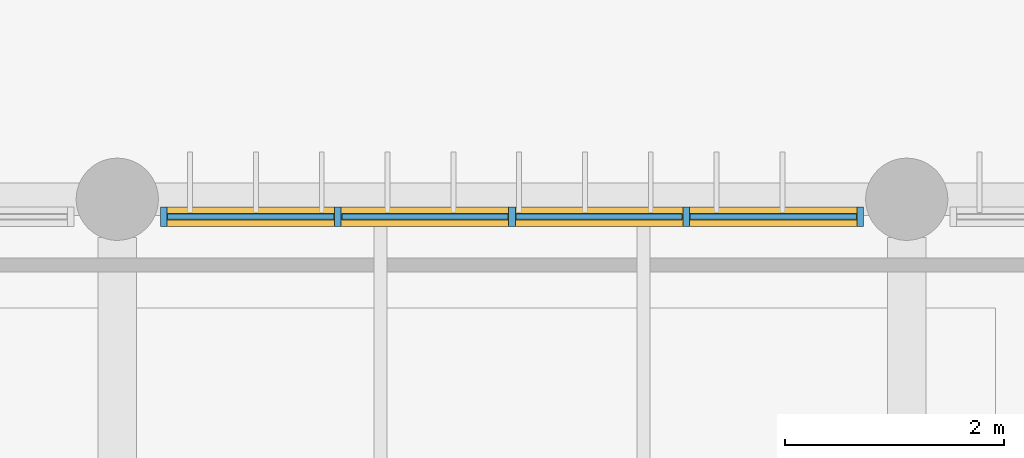
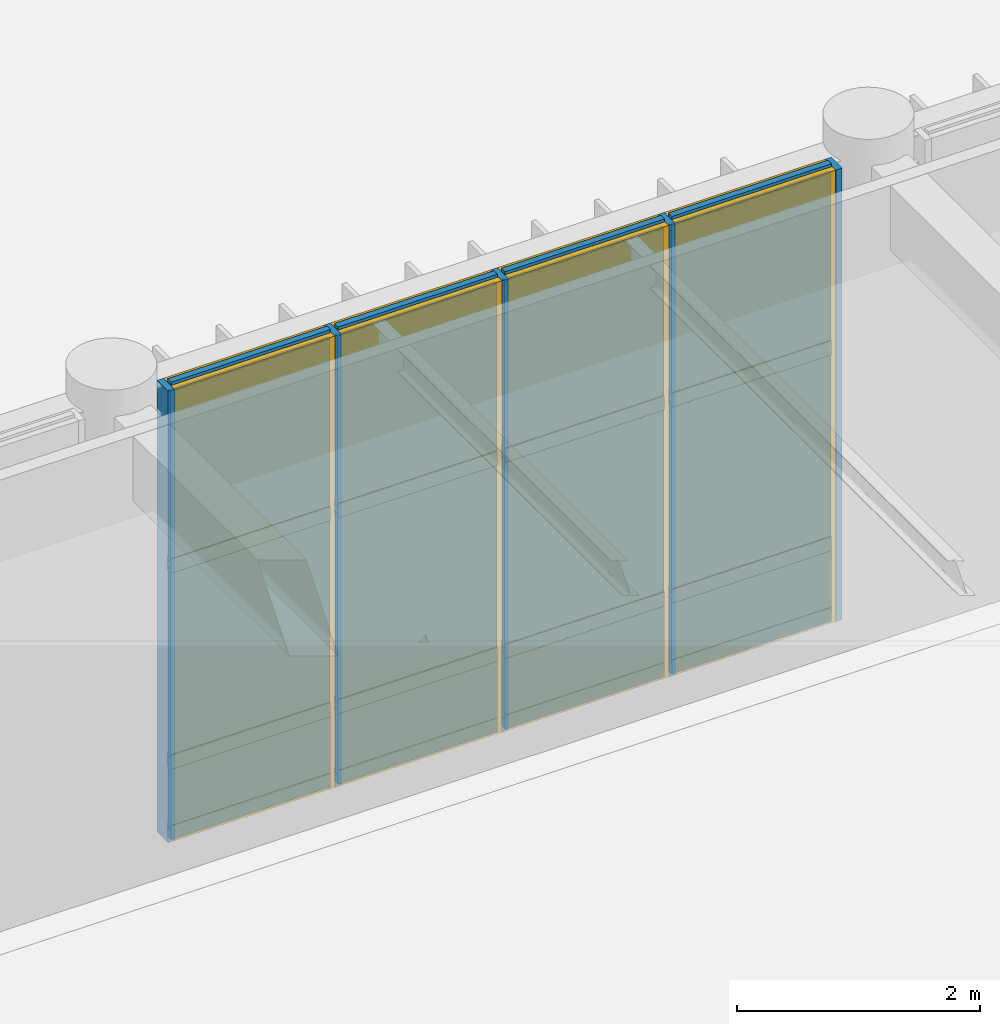
# One storey, part 84 of 122: 21 members, 12 plates, 1 curtain wall.
"""IFC4 building model written with IfcOpenShell, lengths in metres."""

from ifc_helpers import new_model, si_unit, direction, frame, frame_2d, origin, origin_2d, place, context, subcontext, project, spatial, rectangle, extrude, material, layer, layer_set, material_profile, profile_set, type_object, element, aggregate, save


model = new_model("IFC4")

# Units and contexts
model_context = context("Model", 3, precision=1e-05, world=origin(), true_north=direction((0.0, 1.0)))
body_context = subcontext(model_context, "Body", "Model", "MODEL_VIEW")
ifc_project = project(units=[si_unit("LENGTHUNIT", "METRE"), si_unit("AREAUNIT", "SQUARE_METRE"), si_unit("VOLUMEUNIT", "CUBIC_METRE"), si_unit("PLANEANGLEUNIT", "RADIAN"), si_unit("MASSUNIT", "GRAM", prefix="KILO")], contexts=[model_context])

# Member
ifc_material_1 = material(Name="Anodised Bronze Aluminium 6063-T6", Category="aluminium")
ifc_material_profile_1 = material_profile(ifc_material_1, rectangle(XDim=0.06005859375, YDim=0.179931640625, at=origin_2d()), Name="ALU MULLION 60x180")
ifc_profile_set_1 = profile_set([ifc_material_profile_1], Name="Anodised Bronze Aluminium 6063-T6")
member_type_1 = type_object("IfcMemberType", Name="Curtain-Wall Primary Mullion 60x180", PredefinedType="MULLION", material=ifc_profile_set_1)
site_placement = place(None, origin())
building_placement = place(site_placement, origin())
storey_placement = place(building_placement, origin())
member_1_placement = place(storey_placement, frame((103.02490234375, 30.0400390625, 0.0), z_axis=(0.0, 0.0, 1.0), x_axis=(1.0, 0.0, 0.0)))
member_1 = element("IfcMember", 1, at=member_1_placement, type_object=member_type_1, Name="Mullion CWM-01 CW-V5-NRET-E-L00-B2-M01", PredefinedType="MULLION", context=body_context, shape_type="SweptSolid", body=[
    extrude(rectangle(XDim=0.06005859375, YDim=0.179931640625, at=origin_2d()), origin(), (0.0, 0.0, 1.0), 4.5400390625),
])

member_2_placement = place(storey_placement, frame((104.612548828125, 30.0400390625, 0.0), z_axis=(0.0, 0.0, 1.0), x_axis=(1.0, 0.0, 0.0)))
member_2 = element("IfcMember", 2, at=member_2_placement, type_object=member_type_1, Name="Mullion CWM-01 CW-V5-NRET-E-L00-B2-M02", PredefinedType="MULLION", context=body_context, shape_type="SweptSolid", body=[
    extrude(rectangle(XDim=0.06005859375, YDim=0.179931640625, at=origin_2d()), origin(), (0.0, 0.0, 1.0), 4.5400390625),
])

member_3_placement = place(storey_placement, frame((106.199951171875, 30.0400390625, 0.0), z_axis=(0.0, 0.0, 1.0), x_axis=(1.0, 0.0, 0.0)))
member_3 = element("IfcMember", 3, at=member_3_placement, type_object=member_type_1, Name="Mullion CWM-01 CW-V5-NRET-E-L00-B2-M03", PredefinedType="MULLION", context=body_context, shape_type="SweptSolid", body=[
    extrude(rectangle(XDim=0.06005859375, YDim=0.179931640625, at=origin_2d()), origin(), (0.0, 0.0, 1.0), 4.5400390625),
])

member_4_placement = place(storey_placement, frame((107.78759765625, 30.0400390625, 0.0), z_axis=(0.0, 0.0, 1.0), x_axis=(1.0, 0.0, 0.0)))
member_4 = element("IfcMember", 4, at=member_4_placement, type_object=member_type_1, Name="Mullion CWM-01 CW-V5-NRET-E-L00-B2-M04", PredefinedType="MULLION", context=body_context, shape_type="SweptSolid", body=[
    extrude(rectangle(XDim=0.06005859375, YDim=0.179931640625, at=origin_2d()), origin(), (0.0, 0.0, 1.0), 4.5400390625),
])

member_5_placement = place(storey_placement, frame((109.375, 30.0400390625, 0.0), z_axis=(0.0, 0.0, 1.0), x_axis=(1.0, 0.0, 0.0)))
member_5 = element("IfcMember", 5, at=member_5_placement, type_object=member_type_1, Name="Mullion CWM-01 CW-V5-NRET-E-L00-B2-M05", PredefinedType="MULLION", context=body_context, shape_type="SweptSolid", body=[
    extrude(rectangle(XDim=0.06005859375, YDim=0.179931640625, at=origin_2d()), origin(), (0.0, 0.0, 1.0), 4.5400390625),
])

ifc_material_profile_2 = material_profile(ifc_material_1, rectangle(XDim=0.06005859375, YDim=0.139892578125, at=origin_2d()), Name="ALU TRANSOM 60x140")
ifc_profile_set_2 = profile_set([ifc_material_profile_2], Name="Anodised Bronze Aluminium 6063-T6")
member_type_2 = type_object("IfcMemberType", Name="Curtain-Wall Transom 60x140", PredefinedType="USERDEFINED", material=ifc_profile_set_2)
member_6_placement = place(storey_placement, frame((103.06005859375, 30.0400390625, 0.0400390625), z_axis=(1.0, 0.0, 0.0), x_axis=(0.0, 1.0, 0.0)))
member_6 = element("IfcMember", 6, at=member_6_placement, type_object=member_type_2, Name="Transom CWT-01 CW-V5-NRET-E-L00-B2-T01.1", ObjectType="TRANSOM", PredefinedType="USERDEFINED", context=body_context, shape_type="SweptSolid", body=[
    extrude(rectangle(XDim=0.06005859375, YDim=0.139892578125, at=origin_2d()), origin(), (0.0, 0.0, 1.0), 1.517333984375),
])

member_7_placement = place(storey_placement, frame((103.06005859375, 30.0400390625, 0.75), z_axis=(1.0, 0.0, 0.0), x_axis=(0.0, 1.0, 0.0)))
member_7 = element("IfcMember", 7, at=member_7_placement, type_object=member_type_2, Name="Transom CWT-01 CW-V5-NRET-E-L00-B2-T01.2", ObjectType="TRANSOM", PredefinedType="USERDEFINED", context=body_context, shape_type="SweptSolid", body=[
    extrude(rectangle(XDim=0.06005859375, YDim=0.139892578125, at=origin_2d()), origin(), (0.0, 0.0, 1.0), 1.517333984375),
])

member_8_placement = place(storey_placement, frame((103.06005859375, 30.0400390625, 2.720703125), z_axis=(1.0, 0.0, 0.0), x_axis=(0.0, 1.0, 0.0)))
member_8 = element("IfcMember", 8, at=member_8_placement, type_object=member_type_2, Name="Transom CWT-01 CW-V5-NRET-E-L00-B2-T01.3", ObjectType="TRANSOM", PredefinedType="USERDEFINED", context=body_context, shape_type="SweptSolid", body=[
    extrude(rectangle(XDim=0.06005859375, YDim=0.139892578125, at=origin_2d()), origin(), (0.0, 0.0, 1.0), 1.517333984375),
])

member_9_placement = place(storey_placement, frame((103.06005859375, 30.0400390625, 4.5), z_axis=(1.0, 0.0, 0.0), x_axis=(0.0, 1.0, 0.0)))
member_9 = element("IfcMember", 9, at=member_9_placement, type_object=member_type_2, Name="Transom CWT-01 CW-V5-NRET-E-L00-B2-T01.4", ObjectType="TRANSOM", PredefinedType="USERDEFINED", context=body_context, shape_type="SweptSolid", body=[
    extrude(rectangle(XDim=0.06005859375, YDim=0.139892578125, at=origin_2d()), origin(), (0.0, 0.0, 1.0), 1.517333984375),
])

member_10_placement = place(storey_placement, frame((104.6474609375, 30.0400390625, 0.0400390625), z_axis=(1.0, 0.0, 0.0), x_axis=(0.0, 1.0, 0.0)))
member_10 = element("IfcMember", 10, at=member_10_placement, type_object=member_type_2, Name="Transom CWT-01 CW-V5-NRET-E-L00-B2-T02.1", ObjectType="TRANSOM", PredefinedType="USERDEFINED", context=body_context, shape_type="SweptSolid", body=[
    extrude(rectangle(XDim=0.06005859375, YDim=0.139892578125, at=origin_2d()), origin(), (0.0, 0.0, 1.0), 1.517578125),
])

member_11_placement = place(storey_placement, frame((104.6474609375, 30.0400390625, 0.75), z_axis=(1.0, 0.0, 0.0), x_axis=(0.0, 1.0, 0.0)))
member_11 = element("IfcMember", 11, at=member_11_placement, type_object=member_type_2, Name="Transom CWT-01 CW-V5-NRET-E-L00-B2-T02.2", ObjectType="TRANSOM", PredefinedType="USERDEFINED", context=body_context, shape_type="SweptSolid", body=[
    extrude(rectangle(XDim=0.06005859375, YDim=0.139892578125, at=origin_2d()), origin(), (0.0, 0.0, 1.0), 1.517578125),
])

member_12_placement = place(storey_placement, frame((104.6474609375, 30.0400390625, 2.720703125), z_axis=(1.0, 0.0, 0.0), x_axis=(0.0, 1.0, 0.0)))
member_12 = element("IfcMember", 12, at=member_12_placement, type_object=member_type_2, Name="Transom CWT-01 CW-V5-NRET-E-L00-B2-T02.3", ObjectType="TRANSOM", PredefinedType="USERDEFINED", context=body_context, shape_type="SweptSolid", body=[
    extrude(rectangle(XDim=0.06005859375, YDim=0.139892578125, at=origin_2d()), origin(), (0.0, 0.0, 1.0), 1.517578125),
])

member_13_placement = place(storey_placement, frame((104.6474609375, 30.0400390625, 4.5), z_axis=(1.0, 0.0, 0.0), x_axis=(0.0, 1.0, 0.0)))
member_13 = element("IfcMember", 13, at=member_13_placement, type_object=member_type_2, Name="Transom CWT-01 CW-V5-NRET-E-L00-B2-T02.4", ObjectType="TRANSOM", PredefinedType="USERDEFINED", context=body_context, shape_type="SweptSolid", body=[
    extrude(rectangle(XDim=0.06005859375, YDim=0.139892578125, at=origin_2d()), origin(), (0.0, 0.0, 1.0), 1.517578125),
])

member_14_placement = place(storey_placement, frame((106.235107421875, 30.0400390625, 0.0400390625), z_axis=(1.0, 0.0, 0.0), x_axis=(0.0, 1.0, 0.0)))
member_14 = element("IfcMember", 14, at=member_14_placement, type_object=member_type_2, Name="Transom CWT-01 CW-V5-NRET-E-L00-B2-T03.1", ObjectType="TRANSOM", PredefinedType="USERDEFINED", context=body_context, shape_type="SweptSolid", body=[
    extrude(rectangle(XDim=0.06005859375, YDim=0.139892578125, at=origin_2d()), origin(), (0.0, 0.0, 1.0), 1.517333984375),
])

member_15_placement = place(storey_placement, frame((106.235107421875, 30.0400390625, 0.75), z_axis=(1.0, 0.0, 0.0), x_axis=(0.0, 1.0, 0.0)))
member_15 = element("IfcMember", 15, at=member_15_placement, type_object=member_type_2, Name="Transom CWT-01 CW-V5-NRET-E-L00-B2-T03.2", ObjectType="TRANSOM", PredefinedType="USERDEFINED", context=body_context, shape_type="SweptSolid", body=[
    extrude(rectangle(XDim=0.06005859375, YDim=0.139892578125, at=origin_2d()), origin(), (0.0, 0.0, 1.0), 1.517333984375),
])

member_16_placement = place(storey_placement, frame((106.235107421875, 30.0400390625, 2.720703125), z_axis=(1.0, 0.0, 0.0), x_axis=(0.0, 1.0, 0.0)))
member_16 = element("IfcMember", 16, at=member_16_placement, type_object=member_type_2, Name="Transom CWT-01 CW-V5-NRET-E-L00-B2-T03.3", ObjectType="TRANSOM", PredefinedType="USERDEFINED", context=body_context, shape_type="SweptSolid", body=[
    extrude(rectangle(XDim=0.06005859375, YDim=0.139892578125, at=origin_2d()), origin(), (0.0, 0.0, 1.0), 1.517333984375),
])

member_17_placement = place(storey_placement, frame((106.235107421875, 30.0400390625, 4.5), z_axis=(1.0, 0.0, 0.0), x_axis=(0.0, 1.0, 0.0)))
member_17 = element("IfcMember", 17, at=member_17_placement, type_object=member_type_2, Name="Transom CWT-01 CW-V5-NRET-E-L00-B2-T03.4", ObjectType="TRANSOM", PredefinedType="USERDEFINED", context=body_context, shape_type="SweptSolid", body=[
    extrude(rectangle(XDim=0.06005859375, YDim=0.139892578125, at=origin_2d()), origin(), (0.0, 0.0, 1.0), 1.517333984375),
])

member_18_placement = place(storey_placement, frame((107.822509765625, 30.0400390625, 0.0400390625), z_axis=(1.0, 0.0, 0.0), x_axis=(0.0, 1.0, 0.0)))
member_18 = element("IfcMember", 18, at=member_18_placement, type_object=member_type_2, Name="Transom CWT-01 CW-V5-NRET-E-L00-B2-T04.1", ObjectType="TRANSOM", PredefinedType="USERDEFINED", context=body_context, shape_type="SweptSolid", body=[
    extrude(rectangle(XDim=0.06005859375, YDim=0.139892578125, at=origin_2d()), origin(), (0.0, 0.0, 1.0), 1.517578125),
])

member_19_placement = place(storey_placement, frame((107.822509765625, 30.0400390625, 0.75), z_axis=(1.0, 0.0, 0.0), x_axis=(0.0, 1.0, 0.0)))
member_19 = element("IfcMember", 19, at=member_19_placement, type_object=member_type_2, Name="Transom CWT-01 CW-V5-NRET-E-L00-B2-T04.2", ObjectType="TRANSOM", PredefinedType="USERDEFINED", context=body_context, shape_type="SweptSolid", body=[
    extrude(rectangle(XDim=0.06005859375, YDim=0.139892578125, at=origin_2d()), origin(), (0.0, 0.0, 1.0), 1.517578125),
])

member_20_placement = place(storey_placement, frame((107.822509765625, 30.0400390625, 2.720703125), z_axis=(1.0, 0.0, 0.0), x_axis=(0.0, 1.0, 0.0)))
member_20 = element("IfcMember", 20, at=member_20_placement, type_object=member_type_2, Name="Transom CWT-01 CW-V5-NRET-E-L00-B2-T04.3", ObjectType="TRANSOM", PredefinedType="USERDEFINED", context=body_context, shape_type="SweptSolid", body=[
    extrude(rectangle(XDim=0.06005859375, YDim=0.139892578125, at=origin_2d()), origin(), (0.0, 0.0, 1.0), 1.517578125),
])

member_21_placement = place(storey_placement, frame((107.822509765625, 30.0400390625, 4.5), z_axis=(1.0, 0.0, 0.0), x_axis=(0.0, 1.0, 0.0)))
member_21 = element("IfcMember", 21, at=member_21_placement, type_object=member_type_2, Name="Transom CWT-01 CW-V5-NRET-E-L00-B2-T04.4", ObjectType="TRANSOM", PredefinedType="USERDEFINED", context=body_context, shape_type="SweptSolid", body=[
    extrude(rectangle(XDim=0.06005859375, YDim=0.139892578125, at=origin_2d()), origin(), (0.0, 0.0, 1.0), 1.517578125),
])

# Plate
ifc_material_2 = material(Name="Insulated Bronze Aluminium Spandrel Panel", Category="aluminium")
ifc_layer_1 = layer(ifc_material_2, 0.050048828125, Name="Insulated Bronze Aluminium Spandrel Panel")
ifc_layer_set_1 = layer_set([ifc_layer_1], Name="Insulated Bronze Aluminium Spandrel Panel")
plate_type_1 = type_object("IfcPlateType", Name="Insulated Anodised Aluminium Spandrel Cassette 50", PredefinedType="CURTAIN_PANEL", material=ifc_layer_set_1)
plate_1_placement = place(storey_placement, frame((103.81884765625, 30.0400390625, 0.070068359375), z_axis=(0.0, 0.0, 1.0), x_axis=(1.0, 0.0, 0.0)))
plate_1 = element("IfcPlate", 22, at=plate_1_placement, type_object=plate_type_1, Name="Curtain Panel CWP-03 CW-V5-NRET-E-L00-B2-P01.1", PredefinedType="CURTAIN_PANEL", context=body_context, shape_type="SweptSolid", body=[
    extrude(rectangle(XDim=1.517578125, YDim=0.050048828125, at=origin_2d()), origin(), (0.0, 0.0, 1.0), 0.64990234375),
])

plate_2_placement = place(storey_placement, frame((105.40625, 30.0400390625, 0.070068359375), z_axis=(0.0, 0.0, 1.0), x_axis=(1.0, 0.0, 0.0)))
plate_2 = element("IfcPlate", 23, at=plate_2_placement, type_object=plate_type_1, Name="Curtain Panel CWP-03 CW-V5-NRET-E-L00-B2-P02.1", PredefinedType="CURTAIN_PANEL", context=body_context, shape_type="SweptSolid", body=[
    extrude(rectangle(XDim=1.517578125, YDim=0.050048828125, at=origin_2d()), origin(), (0.0, 0.0, 1.0), 0.64990234375),
])

plate_3_placement = place(storey_placement, frame((106.993896484375, 30.0400390625, 0.070068359375), z_axis=(0.0, 0.0, 1.0), x_axis=(1.0, 0.0, 0.0)))
plate_3 = element("IfcPlate", 24, at=plate_3_placement, type_object=plate_type_1, Name="Curtain Panel CWP-03 CW-V5-NRET-E-L00-B2-P03.1", PredefinedType="CURTAIN_PANEL", context=body_context, shape_type="SweptSolid", body=[
    extrude(rectangle(XDim=1.517578125, YDim=0.050048828125, at=origin_2d()), origin(), (0.0, 0.0, 1.0), 0.64990234375),
])

plate_4_placement = place(storey_placement, frame((108.581298828125, 30.0400390625, 0.070068359375), z_axis=(0.0, 0.0, 1.0), x_axis=(1.0, 0.0, 0.0)))
plate_4 = element("IfcPlate", 25, at=plate_4_placement, type_object=plate_type_1, Name="Curtain Panel CWP-03 CW-V5-NRET-E-L00-B2-P04.1", PredefinedType="CURTAIN_PANEL", context=body_context, shape_type="SweptSolid", body=[
    extrude(rectangle(XDim=1.517578125, YDim=0.050048828125, at=origin_2d()), origin(), (0.0, 0.0, 1.0), 0.64990234375),
])

ifc_material_3 = material(Name="Solar-Control Tempered Double Glazing", Category="glass")
ifc_layer_2 = layer(ifc_material_3, 0.0380859375, Name="Solar-Control Tempered Double Glazing")
ifc_layer_set_2 = layer_set([ifc_layer_2], Name="Solar-Control Tempered Double Glazing")
plate_type_2 = type_object("IfcPlateType", Name="Solar-Control Vision Glazing Unit 38", PredefinedType="CURTAIN_PANEL", material=ifc_layer_set_2)
plate_5_placement = place(storey_placement, frame((103.81884765625, 30.0400390625, 0.77978515625), z_axis=(0.0, 0.0, 1.0), x_axis=(1.0, 0.0, 0.0)))
plate_5 = element("IfcPlate", 26, at=plate_5_placement, type_object=plate_type_2, Name="Curtain Panel CWP-02 CW-V5-NRET-E-L00-B2-P01.2", PredefinedType="CURTAIN_PANEL", context=body_context, shape_type="SweptSolid", body=[
    extrude(rectangle(XDim=1.517578125, YDim=0.0380859375, at=origin_2d()), origin(), (0.0, 0.0, 1.0), 1.910888671875),
])

plate_6_placement = place(storey_placement, frame((103.81884765625, 30.0400390625, 2.750732421875), z_axis=(0.0, 0.0, 1.0), x_axis=(1.0, 0.0, 0.0)))
plate_6 = element("IfcPlate", 27, at=plate_6_placement, type_object=plate_type_2, Name="Curtain Panel CWP-02 CW-V5-NRET-E-L00-B2-P01.3", PredefinedType="CURTAIN_PANEL", context=body_context, shape_type="SweptSolid", body=[
    extrude(rectangle(XDim=1.517578125, YDim=0.0380859375, at=origin_2d()), origin(), (0.0, 0.0, 1.0), 1.71923828125),
])

plate_7_placement = place(storey_placement, frame((105.40625, 30.0400390625, 0.77978515625), z_axis=(0.0, 0.0, 1.0), x_axis=(1.0, 0.0, 0.0)))
plate_7 = element("IfcPlate", 28, at=plate_7_placement, type_object=plate_type_2, Name="Curtain Panel CWP-02 CW-V5-NRET-E-L00-B2-P02.2", PredefinedType="CURTAIN_PANEL", context=body_context, shape_type="SweptSolid", body=[
    extrude(rectangle(XDim=1.517578125, YDim=0.0380859375, at=origin_2d()), origin(), (0.0, 0.0, 1.0), 1.910888671875),
])

plate_8_placement = place(storey_placement, frame((105.40625, 30.0400390625, 2.750732421875), z_axis=(0.0, 0.0, 1.0), x_axis=(1.0, 0.0, 0.0)))
plate_8 = element("IfcPlate", 29, at=plate_8_placement, type_object=plate_type_2, Name="Curtain Panel CWP-02 CW-V5-NRET-E-L00-B2-P02.3", PredefinedType="CURTAIN_PANEL", context=body_context, shape_type="SweptSolid", body=[
    extrude(rectangle(XDim=1.517578125, YDim=0.0380859375, at=origin_2d()), origin(), (0.0, 0.0, 1.0), 1.71923828125),
])

plate_9_placement = place(storey_placement, frame((106.993896484375, 30.0400390625, 0.77978515625), z_axis=(0.0, 0.0, 1.0), x_axis=(1.0, 0.0, 0.0)))
plate_9 = element("IfcPlate", 30, at=plate_9_placement, type_object=plate_type_2, Name="Curtain Panel CWP-02 CW-V5-NRET-E-L00-B2-P03.2", PredefinedType="CURTAIN_PANEL", context=body_context, shape_type="SweptSolid", body=[
    extrude(rectangle(XDim=1.517578125, YDim=0.0380859375, at=origin_2d()), origin(), (0.0, 0.0, 1.0), 1.910888671875),
])

plate_10_placement = place(storey_placement, frame((106.993896484375, 30.0400390625, 2.750732421875), z_axis=(0.0, 0.0, 1.0), x_axis=(1.0, 0.0, 0.0)))
plate_10 = element("IfcPlate", 31, at=plate_10_placement, type_object=plate_type_2, Name="Curtain Panel CWP-02 CW-V5-NRET-E-L00-B2-P03.3", PredefinedType="CURTAIN_PANEL", context=body_context, shape_type="SweptSolid", body=[
    extrude(rectangle(XDim=1.517578125, YDim=0.0380859375, at=origin_2d()), origin(), (0.0, 0.0, 1.0), 1.71923828125),
])

plate_11_placement = place(storey_placement, frame((108.581298828125, 30.0400390625, 0.77978515625), z_axis=(0.0, 0.0, 1.0), x_axis=(1.0, 0.0, 0.0)))
plate_11 = element("IfcPlate", 32, at=plate_11_placement, type_object=plate_type_2, Name="Curtain Panel CWP-02 CW-V5-NRET-E-L00-B2-P04.2", PredefinedType="CURTAIN_PANEL", context=body_context, shape_type="SweptSolid", body=[
    extrude(rectangle(XDim=1.517578125, YDim=0.0380859375, at=origin_2d()), origin(), (0.0, 0.0, 1.0), 1.910888671875),
])

plate_12_placement = place(storey_placement, frame((108.581298828125, 30.0400390625, 2.750732421875), z_axis=(0.0, 0.0, 1.0), x_axis=(1.0, 0.0, 0.0)))
plate_12 = element("IfcPlate", 33, at=plate_12_placement, type_object=plate_type_2, Name="Curtain Panel CWP-02 CW-V5-NRET-E-L00-B2-P04.3", PredefinedType="CURTAIN_PANEL", context=body_context, shape_type="SweptSolid", body=[
    extrude(rectangle(XDim=1.517578125, YDim=0.0380859375, at=origin_2d()), origin(), (0.0, 0.0, 1.0), 1.71923828125),
])

# Site, building, storey
site = spatial("IfcSite", under=ifc_project, at=site_placement, CompositionType="ELEMENT")
building = spatial("IfcBuilding", under=site, at=building_placement, Name="Tazoul Stagehouse", CompositionType="ELEMENT")
storey = spatial("IfcBuildingStorey", under=building, at=storey_placement, Name="L00", CompositionType="ELEMENT", Elevation=0.0)

# Curtain wall
curtain_wall_type = type_object("IfcCurtainWallType", Name="Foyer Clear Solar-Control Curtain Wall", PredefinedType="NOTDEFINED", material=ifc_material_1)
curtain_wall_placement = place(storey_placement, frame((103.02490234375, 30.0400390625, 0.0), z_axis=(0.0, 0.0, 1.0), x_axis=(1.0, 0.0, 0.0)))
curtain_wall = element("IfcCurtainWall", 34, at=curtain_wall_placement, inside=storey, type_object=curtain_wall_type, Name="L00 Curtain Wall CW-02 (CW-V5-NRET-E-L00-B2)", PredefinedType="NOTDEFINED", context=body_context, shape_type="SweptSolid", body=[
    extrude(rectangle(XDim=6.35009765625, YDim=0.179931640625, at=frame_2d((3.175048828125, 0.0))), origin(), (0.0, 0.0, 1.0), 4.5400390625),
])

aggregate(curtain_wall, [member_1, member_2, member_3, member_4, member_5, member_6, member_7, member_8, member_9, plate_1, plate_5, plate_6, member_10, member_11, member_12, member_13, plate_2, plate_7, plate_8, member_14, member_15, member_16, member_17, plate_3, plate_9, plate_10, member_18, member_19, member_20, member_21, plate_4, plate_11, plate_12])

save(model, "model.ifc")
